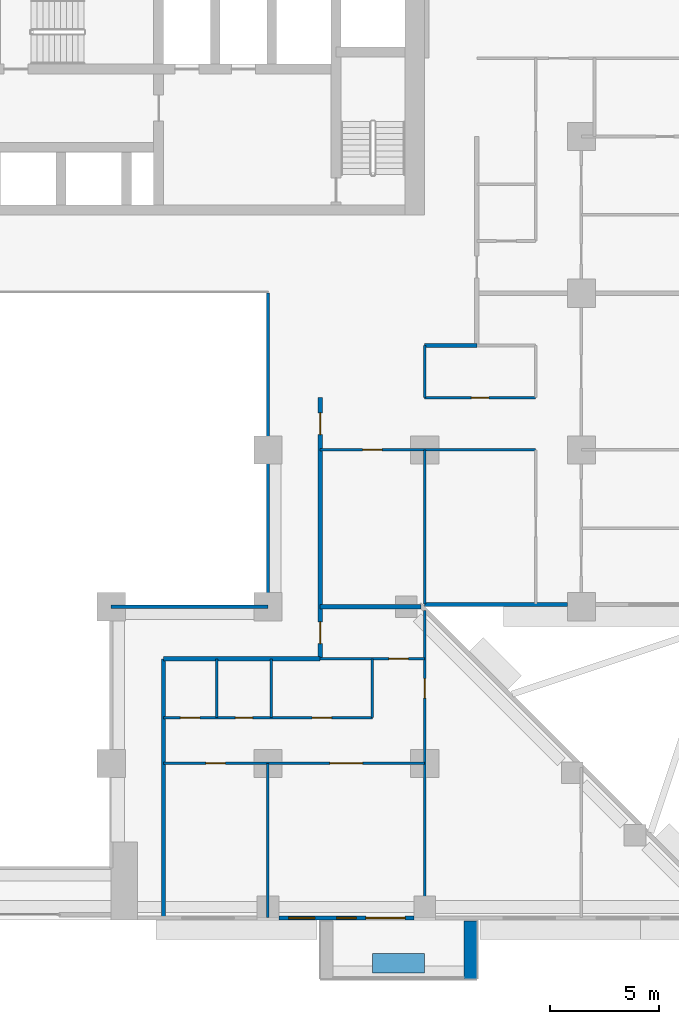
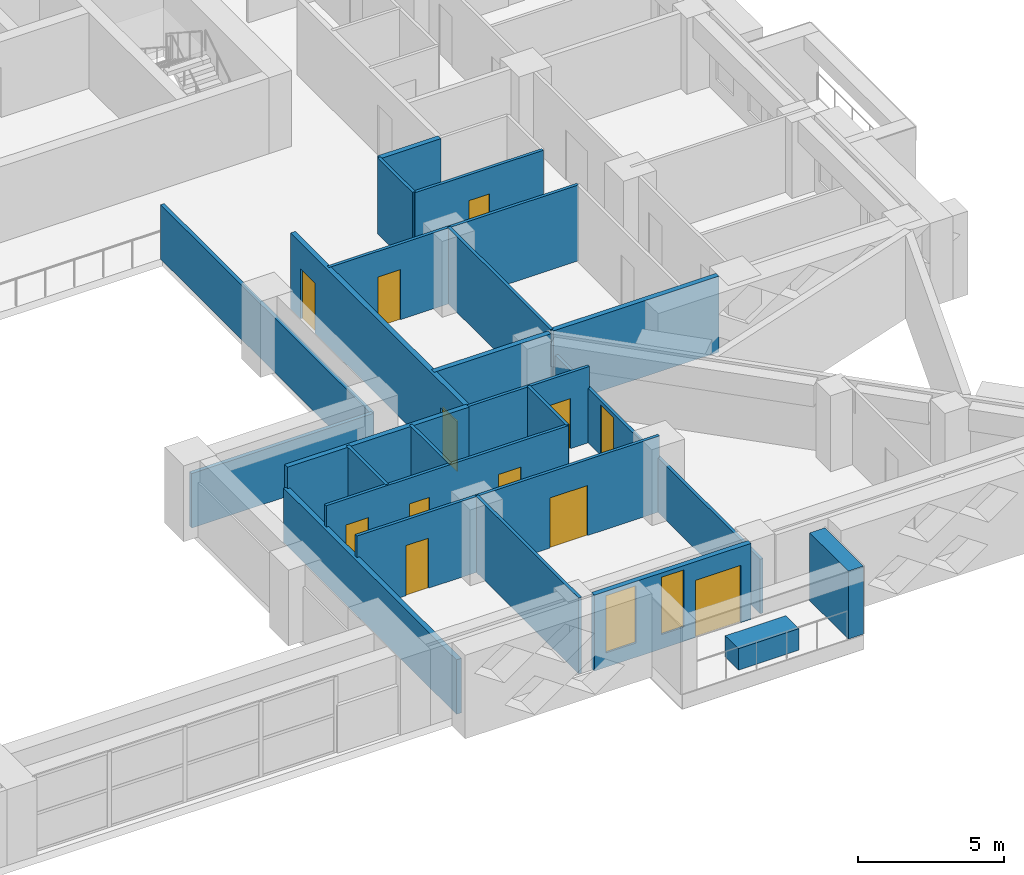
# One storey, part 8 of 16: 23 walls, 12 doors, 2 windows, 14 openings.
"""IFC4 building model written with IfcOpenShell, lengths in metres."""

from ifc_helpers import new_model, si_unit, direction, frame, frame_2d, origin, place, context, subcontext, project, spatial, rectangle, extrude, material, layer, layer_set, type_object, element, fill, save


model = new_model("IFC4")

# Units and contexts
model_context = context("Model", 3, precision=1e-05, world=origin(), true_north=direction((0.0, 1.0)))
body_context = subcontext(model_context, "Body", "Model", "MODEL_VIEW")
ifc_project = project(units=[si_unit("LENGTHUNIT", "METRE"), si_unit("AREAUNIT", "SQUARE_METRE"), si_unit("VOLUMEUNIT", "CUBIC_METRE"), si_unit("PLANEANGLEUNIT", "RADIAN"), si_unit("MASSUNIT", "GRAM", prefix="KILO")], contexts=[model_context])

# Site, building, storey
site_placement = place(None, origin())
site = spatial("IfcSite", under=ifc_project, at=site_placement, CompositionType="ELEMENT")
building_placement = place(site_placement, origin())
building = spatial("IfcBuilding", under=site, at=building_placement, Name="Saffron Iwan Residences", CompositionType="ELEMENT")
storey_placement = place(building_placement, frame((0.0, 0.0, 69.0)))
storey = spatial("IfcBuildingStorey", under=building, at=storey_placement, Name="L17", CompositionType="ELEMENT", Elevation=69.0)

# Walls
ifc_material_1 = material(Name="Fire-rated glazing", Category="glass")
ifc_layer_1 = layer(ifc_material_1, 0.14990234375)
ifc_layer_set_1 = layer_set([ifc_layer_1], Name="Fire-rated glazing")
wall_type_1 = type_object("IfcWallType", Name="Atrium glazed screen 150", PredefinedType="SOLIDWALL", material=ifc_layer_set_1)
wall_1_placement = place(storey_placement, frame((57.60009765625, 48.0, 0.0), z_axis=(0.0, 0.0, 1.0), x_axis=(1.0, 0.0, 0.0)))
element("IfcWall", 1, at=wall_1_placement, inside=storey, type_object=wall_type_1, Name="W-L17-SCREEN-h48-57.6", PredefinedType="SOLIDWALL", context=body_context, shape_type="SweptSolid", body=[
    extrude(rectangle(XDim=7.199951171875, YDim=0.14990234375, at=frame_2d((3.60009765625, 0.0))), origin(), (0.0, 0.0, 1.0), 2.280029296875),
])
wall_2_placement = place(storey_placement, frame((64.800048828125, 48.0, 0.0), z_axis=(0.0, 0.0, 1.0), x_axis=(0.0, 1.0, 0.0)))
element("IfcWall", 2, at=wall_2_placement, inside=storey, type_object=wall_type_1, Name="W-L17-SCREEN-v64.8-48", PredefinedType="SOLIDWALL", context=body_context, shape_type="SweptSolid", body=[
    extrude(rectangle(XDim=14.39990234375, YDim=0.14990234375, at=frame_2d((7.199951171875, 0.0))), origin(), (0.0, 0.0, 1.0), 2.280029296875),
])
ifc_material_2 = material(Name="Concrete C50/60 white painted", Category="concrete")
ifc_layer_2 = layer(ifc_material_2, 0.60009765625)
ifc_layer_set_2 = layer_set([ifc_layer_2], Name="Concrete C50/60 white painted")
wall_type_2 = type_object("IfcWallType", Name="BALCONY FIN 600", PredefinedType="SOLIDWALL", material=ifc_layer_set_2)
wall_3_placement = place(storey_placement, frame((74.10009765625, 33.550048828125, 0.0), z_axis=(0.0, 0.0, 1.0), x_axis=(0.0, -1.0, 0.0)))
element("IfcWall", 3, at=wall_3_placement, inside=storey, type_object=wall_type_2, Name="Balcony fin L17 11-1b", PredefinedType="SOLIDWALL", context=body_context, shape_type="SweptSolid", body=[
    extrude(rectangle(XDim=2.650146484375, YDim=0.60009765625, at=frame_2d((1.3251953125, 0.0))), origin(), (0.0, 0.0, 1.0), 2.85009765625),
])
ifc_material_3 = material(Name="Concrete C35/45 white painted", Category="concrete")
ifc_layer_3 = layer(ifc_material_3, 0.14990234375)
ifc_layer_set_3 = layer_set([ifc_layer_3], Name="Concrete C35/45 white painted")
wall_type_3 = type_object("IfcWallType", Name="BALCONY PLANTER", PredefinedType="SOLIDWALL", material=ifc_layer_set_3)
wall_4_placement = place(storey_placement, frame((69.60009765625, 31.625, 0.0), z_axis=(0.0, 0.0, 1.0), x_axis=(1.0, 0.0, 0.0)))
element("IfcWall", 4, at=wall_4_placement, inside=storey, type_object=wall_type_3, Name="PLANTER L17 11-1", PredefinedType="SOLIDWALL", context=body_context, shape_type="SweptSolid", body=[
    extrude(rectangle(XDim=2.39990234375, YDim=0.89990234375, at=frame_2d((1.199951171875, 0.0))), origin(), (0.0, 0.0, 1.0), 0.89990234375),
])
ifc_material_4 = material(Name="Concrete C40/50", Category="concrete")
ifc_layer_4 = layer(ifc_material_4, 0.199951171875)
ifc_layer_set_4 = layer_set([ifc_layer_4], Name="Concrete C40/50")
wall_type_4 = type_object("IfcWallType", Name="EXTERNAL WALL 200", PredefinedType="SOLIDWALL", material=ifc_layer_set_4)
wall_5_placement = place(storey_placement, frame((71.988525390625, 48.10009765625, 0.0), z_axis=(0.0, 0.0, 1.0), x_axis=(1.0, 0.0, 0.0)))
element("IfcWall", 5, at=wall_5_placement, inside=storey, type_object=wall_type_4, Name="External wall L17 F1.0", PredefinedType="SOLIDWALL", context=body_context, shape_type="SweptSolid", body=[
    extrude(rectangle(XDim=6.5615234375, YDim=0.199951171875, at=frame_2d((3.28076171875, 0.0))), origin(), (0.0, 0.0, 1.0), 3.179931640625),
])

# Wall, openings, door, windows
wall_6_placement = place(storey_placement, frame((65.300048828125, 33.699951171875, 0.0), z_axis=(0.0, 0.0, 1.0), x_axis=(1.0, 0.0, 0.0)))
wall_6 = element("IfcWall", 6, at=wall_6_placement, inside=storey, type_object=wall_type_4, Name="External wall L17 F11.5", PredefinedType="SOLIDWALL", context=body_context, shape_type="SweptSolid", body=[
    extrude(rectangle(XDim=6.199951171875, YDim=0.199951171875, at=frame_2d((3.10009765625, 0.0))), origin(), (0.0, 0.0, 1.0), 3.179931640625),
])
opening_1_placement = place(wall_6_placement, frame((4.0, 0.0, 0.0)))
opening_1 = element("IfcOpeningElement", 7, at=opening_1_placement, cuts=wall_6, Name="Opening BD1", PredefinedType="OPENING", context=body_context, shape_type="SweptSolid", body=[
    extrude(rectangle(XDim=1.800048828125, YDim=2.39990234375, at=frame_2d((0.89990234375, 1.199951171875))), frame((0.0, 0.10986328125, 0.0), z_axis=(0.0, -1.0, 0.0), x_axis=(1.0, 0.0, 0.0)), (0.0, 0.0, 1.0), 0.219970703125),
])
opening_2_placement = place(wall_6_placement, frame((0.449951171875, 0.0, 0.60009765625)))
opening_2 = element("IfcOpeningElement", 8, at=opening_2_placement, cuts=wall_6, Name="Opening W3", PredefinedType="OPENING", context=body_context, shape_type="SweptSolid", body=[
    extrude(rectangle(XDim=1.199951171875, YDim=2.39990234375, at=frame_2d((0.60009765625, 1.199951171875))), frame((0.0, 0.10986328125, 0.0), z_axis=(0.0, -1.0, 0.0), x_axis=(1.0, 0.0, 0.0)), (0.0, 0.0, 1.0), 0.219970703125),
])
opening_3_placement = place(wall_6_placement, frame((2.64990234375, 0.0, 0.60009765625)))
opening_3 = element("IfcOpeningElement", 9, at=opening_3_placement, cuts=wall_6, Name="Opening W10", PredefinedType="OPENING", context=body_context, shape_type="SweptSolid", body=[
    extrude(rectangle(XDim=0.89990234375, YDim=2.39990234375, at=frame_2d((0.449951171875, 1.199951171875))), frame((0.0, 0.10986328125, 0.0), z_axis=(0.0, -1.0, 0.0), x_axis=(1.0, 0.0, 0.0)), (0.0, 0.0, 1.0), 0.219970703125),
])
ifc_material_5 = material(Name="Clear glass, laminated double glazed", Category="glass")
door_type_1 = type_object("IfcDoorType", Name="BALCONY DOOR 1800 x 2400", OperationType="DOUBLE_DOOR_SLIDING", PredefinedType="DOOR", material=ifc_material_5)
door_1_placement = place(opening_1_placement, origin())
door_1 = element("IfcDoor", 10, at=door_1_placement, inside=storey, type_object=door_type_1, Name="Balcony door L17 F11.0", OperationType="DOUBLE_DOOR_SLIDING", OverallHeight=2.39990234375, OverallWidth=1.800048828125, PredefinedType="DOOR", context=body_context, shape_type="SweptSolid", body=[
    extrude(rectangle(XDim=1.800048828125, YDim=2.39990234375, at=frame_2d((0.89990234375, 1.199951171875))), frame((0.0, 0.02490234375, 0.0), z_axis=(0.0, -1.0, 0.0), x_axis=(1.0, 0.0, 0.0)), (0.0, 0.0, 1.0), 0.050048828125),
])
fill(opening_1, door_1)
window_type_1 = type_object("IfcWindowType", Name="WINDOW 1200 x 2400", PartitioningType="SINGLE_PANEL", PredefinedType="WINDOW", material=ifc_material_5)
window_1_placement = place(opening_2_placement, origin())
window_1 = element("IfcWindow", 11, at=window_1_placement, inside=storey, type_object=window_type_1, Name="Window L17 F11.1", OverallHeight=2.39990234375, OverallWidth=1.199951171875, PartitioningType="SINGLE_PANEL", PredefinedType="WINDOW", context=body_context, shape_type="SweptSolid", body=[
    extrude(rectangle(XDim=1.199951171875, YDim=2.39990234375, at=frame_2d((0.60009765625, 1.199951171875))), frame((0.0, 0.030029296875, 0.0), z_axis=(0.0, -1.0, 0.0), x_axis=(1.0, 0.0, 0.0)), (0.0, 0.0, 1.0), 0.06005859375),
])
fill(opening_2, window_1)
window_type_2 = type_object("IfcWindowType", Name="WINDOW 900 x 2400", PartitioningType="SINGLE_PANEL", PredefinedType="WINDOW", material=ifc_material_5)
window_2_placement = place(opening_3_placement, origin())
window_2 = element("IfcWindow", 12, at=window_2_placement, inside=storey, type_object=window_type_2, Name="Window L17 F11.2", OverallHeight=2.39990234375, OverallWidth=0.89990234375, PartitioningType="SINGLE_PANEL", PredefinedType="WINDOW", context=body_context, shape_type="SweptSolid", body=[
    extrude(rectangle(XDim=0.89990234375, YDim=2.39990234375, at=frame_2d((0.449951171875, 1.199951171875))), frame((0.0, 0.030029296875, 0.0), z_axis=(0.0, -1.0, 0.0), x_axis=(1.0, 0.0, 0.0)), (0.0, 0.0, 1.0), 0.06005859375),
])
fill(opening_3, window_2)

# Wall
ifc_material_6 = material(Name="Fire-rated gypsum board wall")
ifc_layer_5 = layer(ifc_material_6, 0.199951171875)
ifc_layer_set_5 = layer_set([ifc_layer_5], Name="Fire-rated gypsum board wall")
wall_type_5 = type_object("IfcWallType", Name="Flat demising wall 200", PredefinedType="SOLIDWALL", material=ifc_layer_set_5)
wall_7_placement = place(storey_placement, frame((67.199951171875, 48.0, 0.0), z_axis=(0.0, 0.0, 1.0), x_axis=(1.0, 0.0, 0.0)))
element("IfcWall", 13, at=wall_7_placement, inside=storey, type_object=wall_type_5, Name="W-L17-DEMISE-h48-67.2", PredefinedType="SOLIDWALL", context=body_context, shape_type="SweptSolid", body=[
    extrude(rectangle(XDim=4.623046875, YDim=0.199951171875, at=frame_2d((2.3115234375, 0.0))), origin(), (0.0, 0.0, 1.0), 3.179931640625),
])

# Wall, openings, doors
ifc_material_7 = material(Name="Gypsum board partition")
ifc_layer_6 = layer(ifc_material_7, 0.1201171875)
ifc_layer_set_6 = layer_set([ifc_layer_6], Name="Gypsum board partition")
wall_type_6 = type_object("IfcWallType", Name="Flat partition 120", PredefinedType="PARTITIONING", material=ifc_layer_set_6)
wall_8_placement = place(storey_placement, frame((60.0, 40.800048828125, 0.0), z_axis=(0.0, 0.0, 1.0), x_axis=(1.0, 0.0, 0.0)))
wall_8 = element("IfcWall", 14, at=wall_8_placement, inside=storey, type_object=wall_type_6, Name="W-L17-PART-h40.8-60", PredefinedType="PARTITIONING", context=body_context, shape_type="SweptSolid", body=[
    extrude(rectangle(XDim=12.0, YDim=0.1201171875, at=frame_2d((6.0, 0.0))), origin(), (0.0, 0.0, 1.0), 3.179931640625),
])
opening_4_placement = place(wall_8_placement, frame((7.64990234375, 0.0, 0.0)))
opening_4 = element("IfcOpeningElement", 15, at=opening_4_placement, cuts=wall_8, Name="Opening FD4", PredefinedType="OPENING", context=body_context, shape_type="SweptSolid", body=[
    extrude(rectangle(XDim=1.5, YDim=2.10009765625, at=frame_2d((0.75, 1.050048828125))), frame((0.0, 0.070068359375, 0.0), z_axis=(0.0, -1.0, 0.0), x_axis=(1.0, 0.0, 0.0)), (0.0, 0.0, 1.0), 0.14013671875),
])
opening_5_placement = place(wall_8_placement, frame((1.949951171875, 0.0, 0.0)))
opening_5 = element("IfcOpeningElement", 16, at=opening_5_placement, cuts=wall_8, Name="Opening FD2", PredefinedType="OPENING", context=body_context, shape_type="SweptSolid", body=[
    extrude(rectangle(XDim=0.89990234375, YDim=2.10009765625, at=frame_2d((0.449951171875, 1.050048828125))), frame((0.0, 0.070068359375, 0.0), z_axis=(0.0, -1.0, 0.0), x_axis=(1.0, 0.0, 0.0)), (0.0, 0.0, 1.0), 0.14013671875),
])
ifc_material_8 = material(Name="Timber door", Category="wood")
door_type_2 = type_object("IfcDoorType", Name="Double door 1500", OperationType="NOTDEFINED", PredefinedType="DOOR", material=ifc_material_8)
door_2_placement = place(opening_4_placement, origin())
door_2 = element("IfcDoor", 17, at=door_2_placement, inside=storey, type_object=door_type_2, Name="Door L17-043", OperationType="SINGLE_SWING_LEFT", OverallHeight=2.10009765625, OverallWidth=1.5, PredefinedType="DOOR", context=body_context, shape_type="SweptSolid", body=[
    extrude(rectangle(XDim=1.5, YDim=2.10009765625, at=frame_2d((0.75, 1.050048828125))), frame((0.0, 0.02490234375, 0.0), z_axis=(0.0, -1.0, 0.0), x_axis=(1.0, 0.0, 0.0)), (0.0, 0.0, 1.0), 0.050048828125),
])
fill(opening_4, door_2)
door_type_3 = type_object("IfcDoorType", Name="Flat door 900", OperationType="NOTDEFINED", PredefinedType="DOOR", material=ifc_material_8)
door_3_placement = place(opening_5_placement, origin())
door_3 = element("IfcDoor", 18, at=door_3_placement, inside=storey, type_object=door_type_3, Name="Door L17-044", OperationType="SINGLE_SWING_RIGHT", OverallHeight=2.10009765625, OverallWidth=0.89990234375, PredefinedType="DOOR", context=body_context, shape_type="SweptSolid", body=[
    extrude(rectangle(XDim=0.89990234375, YDim=2.10009765625, at=frame_2d((0.449951171875, 1.050048828125))), frame((0.0, 0.02490234375, 0.0), z_axis=(0.0, -1.0, 0.0), x_axis=(1.0, 0.0, 0.0)), (0.0, 0.0, 1.0), 0.050048828125),
])
fill(opening_5, door_3)

wall_9_placement = place(storey_placement, frame((60.0, 42.89990234375, 0.0), z_axis=(0.0, 0.0, 1.0), x_axis=(1.0, 0.0, 0.0)))
wall_9 = element("IfcWall", 19, at=wall_9_placement, inside=storey, type_object=wall_type_6, Name="W-L17-PART-h42.9-60", PredefinedType="PARTITIONING", context=body_context, shape_type="SweptSolid", body=[
    extrude(rectangle(XDim=9.60009765625, YDim=0.1201171875, at=frame_2d((4.800048828125, 0.0))), origin(), (0.0, 0.0, 1.0), 3.179931640625),
])
opening_6_placement = place(wall_9_placement, frame((6.824951171875, 0.0, 0.0)))
opening_6 = element("IfcOpeningElement", 20, at=opening_6_placement, cuts=wall_9, Name="Opening FD2", PredefinedType="OPENING", context=body_context, shape_type="SweptSolid", body=[
    extrude(rectangle(XDim=0.89990234375, YDim=2.10009765625, at=frame_2d((0.449951171875, 1.050048828125))), frame((0.0, 0.070068359375, 0.0), z_axis=(0.0, -1.0, 0.0), x_axis=(1.0, 0.0, 0.0)), (0.0, 0.0, 1.0), 0.14013671875),
])
opening_7_placement = place(wall_9_placement, frame((3.300048828125, 0.0, 0.0)))
opening_7 = element("IfcOpeningElement", 21, at=opening_7_placement, cuts=wall_9, Name="Opening FD3", PredefinedType="OPENING", context=body_context, shape_type="SweptSolid", body=[
    extrude(rectangle(XDim=0.800048828125, YDim=2.10009765625, at=frame_2d((0.39990234375, 1.050048828125))), frame((0.0, 0.070068359375, 0.0), z_axis=(0.0, -1.0, 0.0), x_axis=(1.0, 0.0, 0.0)), (0.0, 0.0, 1.0), 0.14013671875),
])
opening_8_placement = place(wall_9_placement, frame((0.77490234375, 0.0, 0.0)))
opening_8 = element("IfcOpeningElement", 22, at=opening_8_placement, cuts=wall_9, Name="Opening FD2", PredefinedType="OPENING", context=body_context, shape_type="SweptSolid", body=[
    extrude(rectangle(XDim=0.89990234375, YDim=2.10009765625, at=frame_2d((0.449951171875, 1.050048828125))), frame((0.0, 0.070068359375, 0.0), z_axis=(0.0, -1.0, 0.0), x_axis=(1.0, 0.0, 0.0)), (0.0, 0.0, 1.0), 0.14013671875),
])
door_type_4 = type_object("IfcDoorType", Name="Bathroom door 800", OperationType="NOTDEFINED", PredefinedType="DOOR", material=ifc_material_8)
door_4_placement = place(opening_7_placement, origin())
door_4 = element("IfcDoor", 23, at=door_4_placement, inside=storey, type_object=door_type_4, Name="Door L17-046", OperationType="SINGLE_SWING_LEFT", OverallHeight=2.10009765625, OverallWidth=0.800048828125, PredefinedType="DOOR", context=body_context, shape_type="SweptSolid", body=[
    extrude(rectangle(XDim=0.800048828125, YDim=2.10009765625, at=frame_2d((0.39990234375, 1.050048828125))), frame((0.0, 0.02490234375, 0.0), z_axis=(0.0, -1.0, 0.0), x_axis=(1.0, 0.0, 0.0)), (0.0, 0.0, 1.0), 0.050048828125),
])
fill(opening_7, door_4)
door_5_placement = place(opening_6_placement, origin())
door_5 = element("IfcDoor", 24, at=door_5_placement, inside=storey, type_object=door_type_3, Name="Door L17-045", OperationType="SINGLE_SWING_LEFT", OverallHeight=2.10009765625, OverallWidth=0.89990234375, PredefinedType="DOOR", context=body_context, shape_type="SweptSolid", body=[
    extrude(rectangle(XDim=0.89990234375, YDim=2.10009765625, at=frame_2d((0.449951171875, 1.050048828125))), frame((0.0, 0.02490234375, 0.0), z_axis=(0.0, -1.0, 0.0), x_axis=(1.0, 0.0, 0.0)), (0.0, 0.0, 1.0), 0.050048828125),
])
fill(opening_6, door_5)
door_6_placement = place(opening_8_placement, origin())
door_6 = element("IfcDoor", 25, at=door_6_placement, inside=storey, type_object=door_type_3, Name="Door L17-047", OperationType="SINGLE_SWING_RIGHT", OverallHeight=2.10009765625, OverallWidth=0.89990234375, PredefinedType="DOOR", context=body_context, shape_type="SweptSolid", body=[
    extrude(rectangle(XDim=0.89990234375, YDim=2.10009765625, at=frame_2d((0.449951171875, 1.050048828125))), frame((0.0, 0.02490234375, 0.0), z_axis=(0.0, -1.0, 0.0), x_axis=(1.0, 0.0, 0.0)), (0.0, 0.0, 1.0), 0.050048828125),
])
fill(opening_8, door_6)

# Wall, opening, door
wall_10_placement = place(storey_placement, frame((67.199951171875, 45.60009765625, 0.0), z_axis=(0.0, 0.0, 1.0), x_axis=(1.0, 0.0, 0.0)))
wall_10 = element("IfcWall", 26, at=wall_10_placement, inside=storey, type_object=wall_type_6, Name="W-L17-PART-h45.6-67.2", PredefinedType="PARTITIONING", context=body_context, shape_type="SweptSolid", body=[
    extrude(rectangle(XDim=4.800048828125, YDim=0.1201171875, at=frame_2d((2.39990234375, 0.0))), origin(), (0.0, 0.0, 1.0), 3.179931640625),
])
opening_9_placement = place(wall_10_placement, frame((3.14990234375, 0.0, 0.0)))
opening_9 = element("IfcOpeningElement", 27, at=opening_9_placement, cuts=wall_10, Name="Opening FD2", PredefinedType="OPENING", context=body_context, shape_type="SweptSolid", body=[
    extrude(rectangle(XDim=0.89990234375, YDim=2.10009765625, at=frame_2d((0.449951171875, 1.050048828125))), frame((0.0, 0.070068359375, 0.0), z_axis=(0.0, -1.0, 0.0), x_axis=(1.0, 0.0, 0.0)), (0.0, 0.0, 1.0), 0.14013671875),
])
door_7_placement = place(opening_9_placement, origin())
door_7 = element("IfcDoor", 28, at=door_7_placement, inside=storey, type_object=door_type_3, Name="Door L17-041", OperationType="SINGLE_SWING_RIGHT", OverallHeight=2.10009765625, OverallWidth=0.89990234375, PredefinedType="DOOR", context=body_context, shape_type="SweptSolid", body=[
    extrude(rectangle(XDim=0.89990234375, YDim=2.10009765625, at=frame_2d((0.449951171875, 1.050048828125))), frame((0.0, 0.02490234375, 0.0), z_axis=(0.0, -1.0, 0.0), x_axis=(1.0, 0.0, 0.0)), (0.0, 0.0, 1.0), 0.050048828125),
])
fill(opening_9, door_7)

wall_11_placement = place(storey_placement, frame((67.199951171875, 55.199951171875, 0.0), z_axis=(0.0, 0.0, 1.0), x_axis=(1.0, 0.0, 0.0)))
wall_11 = element("IfcWall", 29, at=wall_11_placement, inside=storey, type_object=wall_type_6, Name="W-L17-PART-h55.2-67.2", PredefinedType="PARTITIONING", context=body_context, shape_type="SweptSolid", body=[
    extrude(rectangle(XDim=9.900146484375, YDim=0.1201171875, at=frame_2d((4.9501953125, 0.0))), origin(), (0.0, 0.0, 1.0), 3.179931640625),
])
opening_10_placement = place(wall_11_placement, frame((1.949951171875, 0.0, 0.0)))
opening_10 = element("IfcOpeningElement", 30, at=opening_10_placement, cuts=wall_11, Name="Opening FD2", PredefinedType="OPENING", context=body_context, shape_type="SweptSolid", body=[
    extrude(rectangle(XDim=0.89990234375, YDim=2.10009765625, at=frame_2d((0.449951171875, 1.050048828125))), frame((0.0, 0.070068359375, 0.0), z_axis=(0.0, -1.0, 0.0), x_axis=(1.0, 0.0, 0.0)), (0.0, 0.0, 1.0), 0.14013671875),
])
door_8_placement = place(opening_10_placement, origin())
door_8 = element("IfcDoor", 31, at=door_8_placement, inside=storey, type_object=door_type_3, Name="Door L17-026", OperationType="SINGLE_SWING_RIGHT", OverallHeight=2.10009765625, OverallWidth=0.89990234375, PredefinedType="DOOR", context=body_context, shape_type="SweptSolid", body=[
    extrude(rectangle(XDim=0.89990234375, YDim=2.10009765625, at=frame_2d((0.449951171875, 1.050048828125))), frame((0.0, 0.02490234375, 0.0), z_axis=(0.0, -1.0, 0.0), x_axis=(1.0, 0.0, 0.0)), (0.0, 0.0, 1.0), 0.050048828125),
])
fill(opening_10, door_8)

wall_12_placement = place(storey_placement, frame((72.0, 57.60009765625, 0.0), z_axis=(0.0, 0.0, 1.0), x_axis=(1.0, 0.0, 0.0)))
wall_12 = element("IfcWall", 32, at=wall_12_placement, inside=storey, type_object=wall_type_6, Name="W-L17-PART-h57.6-72", PredefinedType="PARTITIONING", context=body_context, shape_type="SweptSolid", body=[
    extrude(rectangle(XDim=5.10009765625, YDim=0.1201171875, at=frame_2d((2.550048828125, 0.0))), origin(), (0.0, 0.0, 1.0), 3.179931640625),
])
opening_11_placement = place(wall_12_placement, frame((2.14990234375, 0.0, 0.0)))
opening_11 = element("IfcOpeningElement", 33, at=opening_11_placement, cuts=wall_12, Name="Opening FD3", PredefinedType="OPENING", context=body_context, shape_type="SweptSolid", body=[
    extrude(rectangle(XDim=0.800048828125, YDim=2.10009765625, at=frame_2d((0.39990234375, 1.050048828125))), frame((0.0, 0.070068359375, 0.0), z_axis=(0.0, -1.0, 0.0), x_axis=(1.0, 0.0, 0.0)), (0.0, 0.0, 1.0), 0.14013671875),
])
door_9_placement = place(opening_11_placement, origin())
door_9 = element("IfcDoor", 34, at=door_9_placement, inside=storey, type_object=door_type_4, Name="Door L17-025", OperationType="SINGLE_SWING_LEFT", OverallHeight=2.10009765625, OverallWidth=0.800048828125, PredefinedType="DOOR", context=body_context, shape_type="SweptSolid", body=[
    extrude(rectangle(XDim=0.800048828125, YDim=2.10009765625, at=frame_2d((0.39990234375, 1.050048828125))), frame((0.0, 0.02490234375, 0.0), z_axis=(0.0, -1.0, 0.0), x_axis=(1.0, 0.0, 0.0)), (0.0, 0.0, 1.0), 0.050048828125),
])
fill(opening_11, door_9)

# Walls
wall_13_placement = place(storey_placement, frame((62.449951171875, 42.89990234375, 0.0), z_axis=(0.0, 0.0, 1.0), x_axis=(0.0, 1.0, 0.0)))
element("IfcWall", 35, at=wall_13_placement, inside=storey, type_object=wall_type_6, Name="W-L17-PART-v62.45-42.9", PredefinedType="PARTITIONING", context=body_context, shape_type="SweptSolid", body=[
    extrude(rectangle(XDim=2.7001953125, YDim=0.1201171875, at=frame_2d((1.35009765625, 0.0))), origin(), (0.0, 0.0, 1.0), 3.179931640625),
])
wall_14_placement = place(storey_placement, frame((64.800048828125, 33.72509765625, 0.0), z_axis=(0.0, 0.0, 1.0), x_axis=(0.0, 1.0, 0.0)))
element("IfcWall", 36, at=wall_14_placement, inside=storey, type_object=wall_type_6, Name="W-L17-PART-v64.8-33.725", PredefinedType="PARTITIONING", context=body_context, shape_type="SweptSolid", body=[
    extrude(rectangle(XDim=7.074951171875, YDim=0.1201171875, at=frame_2d((3.53759765625, 0.0))), origin(), (0.0, 0.0, 1.0), 3.179931640625),
])
for number, where, z_axis, x_axis, name in (
    (37, (64.949951171875, 42.89990234375, 0.0), (0.0, 0.0, 1.0), (0.0, 1.0, 0.0), "W-L17-PART-v64.95-42.9"),
    (38, (69.60009765625, 42.89990234375, 0.0), (0.0, 0.0, 1.0), (0.0, 1.0, 0.0), "W-L17-PART-v69.6-42.9"),
):
    element("IfcWall", number, at=place(storey_placement, frame(where, z_axis=z_axis, x_axis=x_axis)), inside=storey, type_object=wall_type_6, Name=name, PredefinedType="PARTITIONING", context=body_context, shape_type="SweptSolid", body=[
        extrude(rectangle(XDim=2.7001953125, YDim=0.1201171875, at=frame_2d((1.35009765625, 0.0))), origin(), (0.0, 0.0, 1.0), 3.179931640625),
    ])

# Wall, opening, door
wall_15_placement = place(storey_placement, frame((72.0, 33.72509765625, 0.0), z_axis=(0.0, 0.0, 1.0), x_axis=(0.0, 1.0, 0.0)))
wall_15 = element("IfcWall", 39, at=wall_15_placement, inside=storey, type_object=wall_type_6, Name="W-L17-PART-v72-33.725", PredefinedType="PARTITIONING", context=body_context, shape_type="SweptSolid", body=[
    extrude(rectangle(XDim=14.097900390625, YDim=0.1201171875, at=frame_2d((7.048828125, 0.0))), origin(), (0.0, 0.0, 1.0), 2.280029296875),
])
opening_12_placement = place(wall_15_placement, frame((10.074951171875, 0.0, 0.0)))
opening_12 = element("IfcOpeningElement", 40, at=opening_12_placement, cuts=wall_15, Name="Opening FD2", PredefinedType="OPENING", context=body_context, shape_type="SweptSolid", body=[
    extrude(rectangle(XDim=0.89990234375, YDim=2.10009765625, at=frame_2d((0.449951171875, 1.050048828125))), frame((0.0, 0.070068359375, 0.0), z_axis=(0.0, -1.0, 0.0), x_axis=(1.0, 0.0, 0.0)), (0.0, 0.0, 1.0), 0.14013671875),
])
door_10_placement = place(opening_12_placement, origin())
door_10 = element("IfcDoor", 41, at=door_10_placement, inside=storey, type_object=door_type_3, Name="Door L17-048", OperationType="SINGLE_SWING_LEFT", OverallHeight=2.10009765625, OverallWidth=0.89990234375, PredefinedType="DOOR", context=body_context, shape_type="SweptSolid", body=[
    extrude(rectangle(XDim=0.89990234375, YDim=2.10009765625, at=frame_2d((0.449951171875, 1.050048828125))), frame((0.0, 0.02490234375, 0.0), z_axis=(0.0, -1.0, 0.0), x_axis=(1.0, 0.0, 0.0)), (0.0, 0.0, 1.0), 0.050048828125),
])
fill(opening_12, door_10)

# Walls
wall_16_placement = place(storey_placement, frame((72.0, 48.125, 0.0), z_axis=(0.0, 0.0, 1.0), x_axis=(0.0, 1.0, 0.0)))
element("IfcWall", 42, at=wall_16_placement, inside=storey, type_object=wall_type_6, Name="W-L17-PART-v72-48.125", PredefinedType="PARTITIONING", context=body_context, shape_type="SweptSolid", body=[
    extrude(rectangle(XDim=7.074951171875, YDim=0.1201171875, at=frame_2d((3.53759765625, 0.0))), origin(), (0.0, 0.0, 1.0), 3.179931640625),
])
wall_17_placement = place(storey_placement, frame((72.0, 57.60009765625, 0.0), z_axis=(0.0, 0.0, 1.0), x_axis=(0.0, 1.0, 0.0)))
element("IfcWall", 43, at=wall_17_placement, inside=storey, type_object=wall_type_6, Name="W-L17-PART-v72-57.6", PredefinedType="PARTITIONING", context=body_context, shape_type="SweptSolid", body=[
    extrude(rectangle(XDim=2.39990234375, YDim=0.1201171875, at=frame_2d((1.199951171875, 0.0))), origin(), (0.0, 0.0, 1.0), 3.179931640625),
])
ifc_layer_7 = layer(ifc_material_6, 0.199951171875)
ifc_layer_set_7 = layer_set([ifc_layer_7], Name="Fire-rated gypsum board wall")
wall_type_7 = type_object("IfcWallType", Name="Gallery wall 200", PredefinedType="SOLIDWALL", material=ifc_layer_set_7)
wall_18_placement = place(storey_placement, frame((60.0, 45.60009765625, 0.0), z_axis=(0.0, 0.0, 1.0), x_axis=(1.0, 0.0, 0.0)))
element("IfcWall", 44, at=wall_18_placement, inside=storey, type_object=wall_type_7, Name="W-L17-CORR-h45.6-60", PredefinedType="SOLIDWALL", context=body_context, shape_type="SweptSolid", body=[
    extrude(rectangle(XDim=7.199951171875, YDim=0.199951171875, at=frame_2d((3.60009765625, 0.0))), origin(), (0.0, 0.0, 1.0), 3.179931640625),
])
wall_19_placement = place(storey_placement, frame((72.0, 60.0, 0.0), z_axis=(0.0, 0.0, 1.0), x_axis=(1.0, 0.0, 0.0)))
element("IfcWall", 45, at=wall_19_placement, inside=storey, type_object=wall_type_7, Name="W-L17-CORR-h60-72", PredefinedType="SOLIDWALL", context=body_context, shape_type="SweptSolid", body=[
    extrude(rectangle(XDim=2.39990234375, YDim=0.199951171875, at=frame_2d((1.199951171875, 0.0))), origin(), (0.0, 0.0, 1.0), 3.179931640625),
])
wall_20_placement = place(storey_placement, frame((60.0, 33.72509765625, 0.0), z_axis=(0.0, 0.0, 1.0), x_axis=(0.0, 1.0, 0.0)))
element("IfcWall", 46, at=wall_20_placement, inside=storey, type_object=wall_type_7, Name="W-L17-CORR-v60-33.725", PredefinedType="SOLIDWALL", context=body_context, shape_type="SweptSolid", body=[
    extrude(rectangle(XDim=11.875, YDim=0.199951171875, at=frame_2d((5.9375, 0.0))), origin(), (0.0, 0.0, 1.0), 2.280029296875),
])

# Wall, openings, doors
wall_21_placement = place(storey_placement, frame((67.199951171875, 45.60009765625, 0.0), z_axis=(0.0, 0.0, 1.0), x_axis=(0.0, 1.0, 0.0)))
wall_21 = element("IfcWall", 47, at=wall_21_placement, inside=storey, type_object=wall_type_7, Name="W-L17-CORR-v67.2-45.6", PredefinedType="SOLIDWALL", context=body_context, shape_type="SweptSolid", body=[
    extrude(rectangle(XDim=12.0, YDim=0.199951171875, at=frame_2d((6.0, 0.0))), origin(), (0.0, 0.0, 1.0), 3.179931640625),
])
opening_13_placement = place(wall_21_placement, frame((10.300048828125, 0.0, 0.0)))
opening_13 = element("IfcOpeningElement", 48, at=opening_13_placement, cuts=wall_21, Name="Opening FD1", PredefinedType="OPENING", context=body_context, shape_type="SweptSolid", body=[
    extrude(rectangle(XDim=1.0, YDim=2.10009765625, at=frame_2d((0.5, 1.050048828125))), frame((0.0, 0.10986328125, 0.0), z_axis=(0.0, -1.0, 0.0), x_axis=(1.0, 0.0, 0.0)), (0.0, 0.0, 1.0), 0.219970703125),
])
opening_14_placement = place(wall_21_placement, frame((0.699951171875, 0.0, 0.0)))
opening_14 = element("IfcOpeningElement", 49, at=opening_14_placement, cuts=wall_21, Name="Opening FD5", PredefinedType="OPENING", context=body_context, shape_type="SweptSolid", body=[
    extrude(rectangle(XDim=1.0, YDim=2.10009765625, at=frame_2d((0.5, 1.050048828125))), frame((0.0, 0.10986328125, 0.0), z_axis=(0.0, -1.0, 0.0), x_axis=(1.0, 0.0, 0.0)), (0.0, 0.0, 1.0), 0.219970703125),
])
ifc_material_9 = material(Name="Fire-rated timber door", Category="wood")
door_type_5 = type_object("IfcDoorType", Name="FD30S flat entrance door 1000", OperationType="NOTDEFINED", PredefinedType="DOOR", material=ifc_material_9)
door_11_placement = place(opening_13_placement, origin())
door_11 = element("IfcDoor", 50, at=door_11_placement, inside=storey, type_object=door_type_5, Name="Door L17-020", OperationType="SINGLE_SWING_RIGHT", OverallHeight=2.10009765625, OverallWidth=1.0, PredefinedType="DOOR", context=body_context, shape_type="SweptSolid", body=[
    extrude(rectangle(XDim=1.0, YDim=2.10009765625, at=frame_2d((0.5, 1.050048828125))), frame((0.0, 0.02490234375, 0.0), z_axis=(0.0, -1.0, 0.0), x_axis=(1.0, 0.0, 0.0)), (0.0, 0.0, 1.0), 0.050048828125),
])
fill(opening_13, door_11)
door_type_6 = type_object("IfcDoorType", Name="Lobby door 1000", OperationType="NOTDEFINED", PredefinedType="DOOR", material=ifc_material_9)
door_12_placement = place(opening_14_placement, origin())
door_12 = element("IfcDoor", 51, at=door_12_placement, inside=storey, type_object=door_type_6, Name="Door L17-042", OperationType="SINGLE_SWING_LEFT", OverallHeight=2.10009765625, OverallWidth=1.0, PredefinedType="DOOR", context=body_context, shape_type="SweptSolid", body=[
    extrude(rectangle(XDim=1.0, YDim=2.10009765625, at=frame_2d((0.5, 1.050048828125))), frame((0.0, 0.02490234375, 0.0), z_axis=(0.0, -1.0, 0.0), x_axis=(1.0, 0.0, 0.0)), (0.0, 0.0, 1.0), 0.050048828125),
])
fill(opening_14, door_12)

save(model, "model.ifc")
